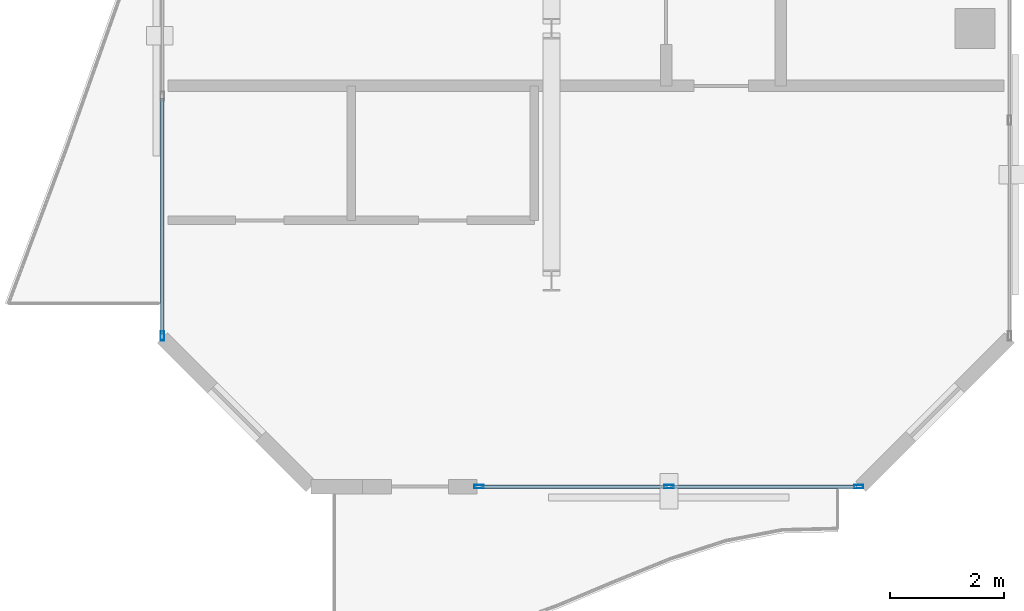
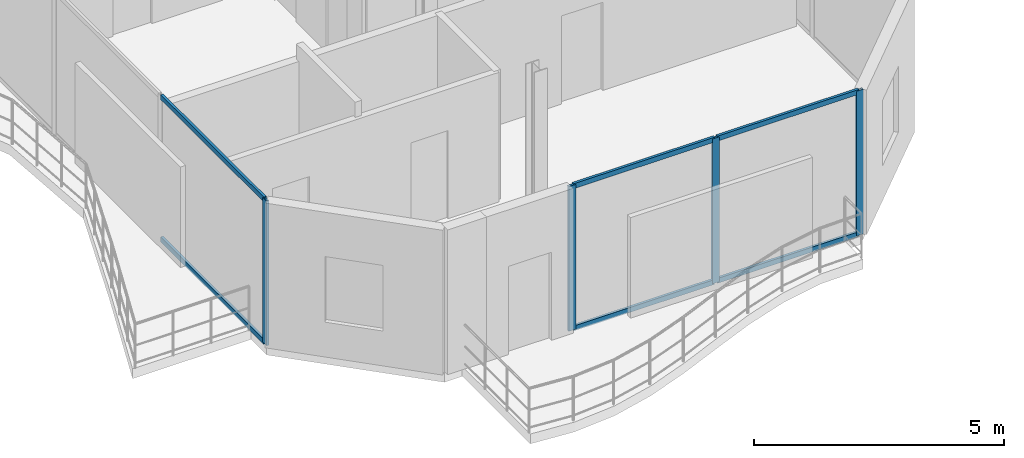
# One storey, part 2 of 17: 10 members, 2 elements without a shape of their own.
"""IFC4 building model written with IfcOpenShell, lengths in metres."""

from ifc_helpers import new_model, si_unit, direction, frame, origin, origin_2d, place, context, subcontext, project, spatial, hollow_rectangle, extrude, material, layer, layer_set, material_profile, profile_set, type_object, element, aggregate, save


model = new_model("IFC4")

# Units and contexts
model_context = context("Model", 3, precision=1e-05, world=origin(), true_north=direction((0.0, 1.0)))
body_context = subcontext(model_context, "Body", "Model", "MODEL_VIEW")
ifc_project = project(units=[si_unit("LENGTHUNIT", "METRE"), si_unit("AREAUNIT", "SQUARE_METRE"), si_unit("VOLUMEUNIT", "CUBIC_METRE"), si_unit("PLANEANGLEUNIT", "RADIAN"), si_unit("MASSUNIT", "GRAM", prefix="KILO")], contexts=[model_context])

# Site, building, storey
site_placement = place(None, origin())
site = spatial("IfcSite", under=ifc_project, at=site_placement, CompositionType="ELEMENT")
building_placement = place(site_placement, origin())
building = spatial("IfcBuilding", under=site, at=building_placement, Name="Catumbela Crestline Tower", CompositionType="ELEMENT")
storey_placement = place(building_placement, frame((0.0, 0.0, 271.6)))
storey = spatial("IfcBuildingStorey", under=building, at=storey_placement, Name="L70", CompositionType="ELEMENT", Elevation=271.6)

# Curtain wall, members
ifc_material = material(Name="Aluminium alloy AW-6060-T66", Category="aluminium")
ifc_layer = layer(ifc_material, 0.18, Name="Aluminium alloy AW-6060-T66")
ifc_layer_set = layer_set([ifc_layer], Name="Aluminium alloy AW-6060-T66")
curtain_wall_type = type_object("IfcCurtainWallType", Name="CWU-Z4", PredefinedType="USERDEFINED", material=ifc_layer_set)
curtain_wall_1_placement = place(storey_placement, origin())
curtain_wall_1 = element("IfcCurtainWall", 1, at=curtain_wall_1_placement, inside=storey, type_object=curtain_wall_type, Name="L70 Unitised Curtain Wall CW-L70-E0S2", ObjectType="UNITISED", PredefinedType="USERDEFINED")
ifc_material_profile_1 = material_profile(ifc_material, hollow_rectangle(XDim=0.06, YDim=0.16, WallThickness=0.004, at=origin_2d()), Name="ALU 160x60x4")
ifc_profile_set_1 = profile_set([ifc_material_profile_1], Name="Aluminium alloy AW-6060-T66")
member_type_1 = type_object("IfcMemberType", Name="MUL-160X60", PredefinedType="MULLION", material=ifc_profile_set_1)
member_1_placement = place(storey_placement, frame((14.7325, 10.0, 0.0), z_axis=(0.0, 0.0, 1.0), x_axis=(0.0, 1.0, 0.0)))
member_1 = element("IfcMember", 2, at=member_1_placement, type_object=member_type_1, Name="CWU-Z4 mullion 1", PredefinedType="MULLION", context=body_context, shape_type="SweptSolid", body=[
    extrude(hollow_rectangle(XDim=0.06, YDim=0.16, WallThickness=0.004, at=origin_2d()), origin(), (0.0, 0.0, 1.0), 3.53),
])
member_2_placement = place(storey_placement, frame((18.05, 10.0, 0.0), z_axis=(0.0, 0.0, 1.0), x_axis=(0.0, 1.0, 0.0)))
member_2 = element("IfcMember", 3, at=member_2_placement, type_object=member_type_1, Name="CWU-Z4 mullion 2", PredefinedType="MULLION", context=body_context, shape_type="SweptSolid", body=[
    extrude(hollow_rectangle(XDim=0.06, YDim=0.16, WallThickness=0.004, at=origin_2d()), origin(), (0.0, 0.0, 1.0), 3.53),
])
member_3_placement = place(storey_placement, frame((21.3675, 10.0, 0.0), z_axis=(0.0, 0.0, 1.0), x_axis=(0.0, 1.0, 0.0)))
member_3 = element("IfcMember", 4, at=member_3_placement, type_object=member_type_1, Name="CWU-Z4 mullion 3", PredefinedType="MULLION", context=body_context, shape_type="SweptSolid", body=[
    extrude(hollow_rectangle(XDim=0.06, YDim=0.16, WallThickness=0.004, at=origin_2d()), origin(), (0.0, 0.0, 1.0), 3.53),
])

# Curtain wall, member
curtain_wall_2_placement = place(storey_placement, origin())
curtain_wall_2 = element("IfcCurtainWall", 5, at=curtain_wall_2_placement, inside=storey, type_object=curtain_wall_type, Name="L70 Unitised Curtain Wall CW-L70-E9S2", ObjectType="UNITISED", PredefinedType="USERDEFINED")
member_4_placement = place(storey_placement, frame((9.2, 12.6325, 0.0), z_axis=(0.0, 0.0, 1.0), x_axis=(1.0, 0.0, 0.0)))
member_4 = element("IfcMember", 6, at=member_4_placement, type_object=member_type_1, Name="CWU-Z4 mullion 6", PredefinedType="MULLION", context=body_context, shape_type="SweptSolid", body=[
    extrude(hollow_rectangle(XDim=0.06, YDim=0.16, WallThickness=0.004, at=origin_2d()), origin(), (0.0, 0.0, 1.0), 3.53),
])

# Member
ifc_material_profile_2 = material_profile(ifc_material, hollow_rectangle(XDim=0.06, YDim=0.12, WallThickness=0.0035, at=origin_2d()), Name="ALU 120x60x3.5")
ifc_profile_set_2 = profile_set([ifc_material_profile_2], Name="Aluminium alloy AW-6060-T66")
member_type_2 = type_object("IfcMemberType", Name="TRN-120X60", PredefinedType="USERDEFINED", material=ifc_profile_set_2)
member_5_placement = place(storey_placement, frame((14.765, 10.0, 0.03), z_axis=(1.0, 0.0, 0.0), x_axis=(0.0, 1.0, 0.0)))
member_5 = element("IfcMember", 7, at=member_5_placement, type_object=member_type_2, Name="CWU-Z4 transom 1.1", ObjectType="TRANSOM", PredefinedType="USERDEFINED", context=body_context, shape_type="SweptSolid", body=[
    extrude(hollow_rectangle(XDim=0.06, YDim=0.12, WallThickness=0.0035, at=origin_2d()), origin(), (0.0, 0.0, 1.0), 3.2525),
])

member_6_placement = place(storey_placement, frame((14.765, 10.0, 3.5), z_axis=(1.0, 0.0, 0.0), x_axis=(0.0, 1.0, 0.0)))
member_6 = element("IfcMember", 8, at=member_6_placement, type_object=member_type_2, Name="CWU-Z4 transom 1.2", ObjectType="TRANSOM", PredefinedType="USERDEFINED", context=body_context, shape_type="SweptSolid", body=[
    extrude(hollow_rectangle(XDim=0.06, YDim=0.12, WallThickness=0.0035, at=origin_2d()), origin(), (0.0, 0.0, 1.0), 3.2525),
])

member_7_placement = place(storey_placement, frame((18.0825, 10.0, 0.03), z_axis=(1.0, 0.0, 0.0), x_axis=(0.0, 1.0, 0.0)))
member_7 = element("IfcMember", 9, at=member_7_placement, type_object=member_type_2, Name="CWU-Z4 transom 2.1", ObjectType="TRANSOM", PredefinedType="USERDEFINED", context=body_context, shape_type="SweptSolid", body=[
    extrude(hollow_rectangle(XDim=0.06, YDim=0.12, WallThickness=0.0035, at=origin_2d()), origin(), (0.0, 0.0, 1.0), 3.2525),
])

member_8_placement = place(storey_placement, frame((18.0825, 10.0, 3.5), z_axis=(1.0, 0.0, 0.0), x_axis=(0.0, 1.0, 0.0)))
member_8 = element("IfcMember", 10, at=member_8_placement, type_object=member_type_2, Name="CWU-Z4 transom 2.2", ObjectType="TRANSOM", PredefinedType="USERDEFINED", context=body_context, shape_type="SweptSolid", body=[
    extrude(hollow_rectangle(XDim=0.06, YDim=0.12, WallThickness=0.0035, at=origin_2d()), origin(), (0.0, 0.0, 1.0), 3.2525),
])

aggregate(curtain_wall_1, [member_1, member_2, member_3, member_5, member_6, member_7, member_8])

member_9_placement = place(storey_placement, frame((9.2, 16.7875, 0.03), z_axis=(0.0, -1.0, 0.0), x_axis=(1.0, 0.0, 0.0)))
member_9 = element("IfcMember", 11, at=member_9_placement, type_object=member_type_2, Name="CWU-Z4 transom 5.1", ObjectType="TRANSOM", PredefinedType="USERDEFINED", context=body_context, shape_type="SweptSolid", body=[
    extrude(hollow_rectangle(XDim=0.06, YDim=0.12, WallThickness=0.0035, at=origin_2d()), origin(), (0.0, 0.0, 1.0), 4.1225),
])

member_10_placement = place(storey_placement, frame((9.2, 16.7875, 3.5), z_axis=(0.0, -1.0, 0.0), x_axis=(1.0, 0.0, 0.0)))
member_10 = element("IfcMember", 12, at=member_10_placement, type_object=member_type_2, Name="CWU-Z4 transom 5.2", ObjectType="TRANSOM", PredefinedType="USERDEFINED", context=body_context, shape_type="SweptSolid", body=[
    extrude(hollow_rectangle(XDim=0.06, YDim=0.12, WallThickness=0.0035, at=origin_2d()), origin(), (0.0, 0.0, 1.0), 4.1225),
])

aggregate(curtain_wall_2, [member_4, member_9, member_10])

save(model, "model.ifc")
